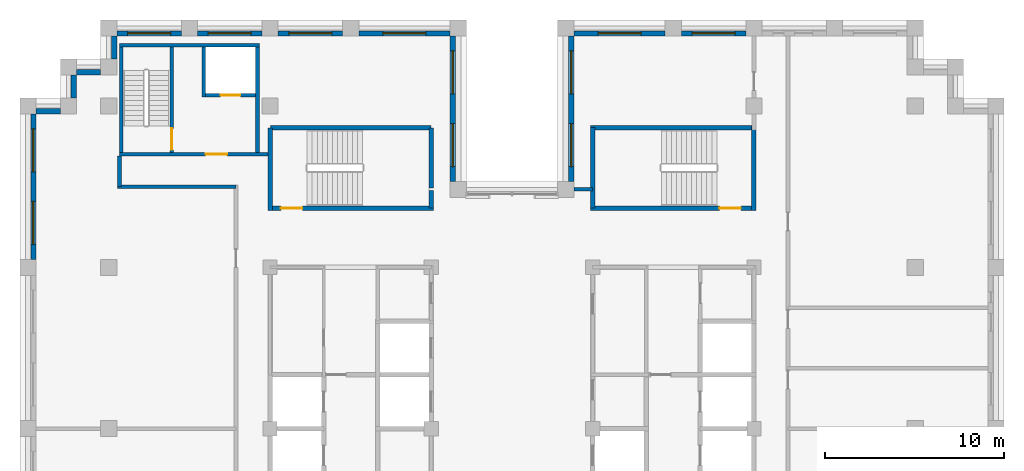
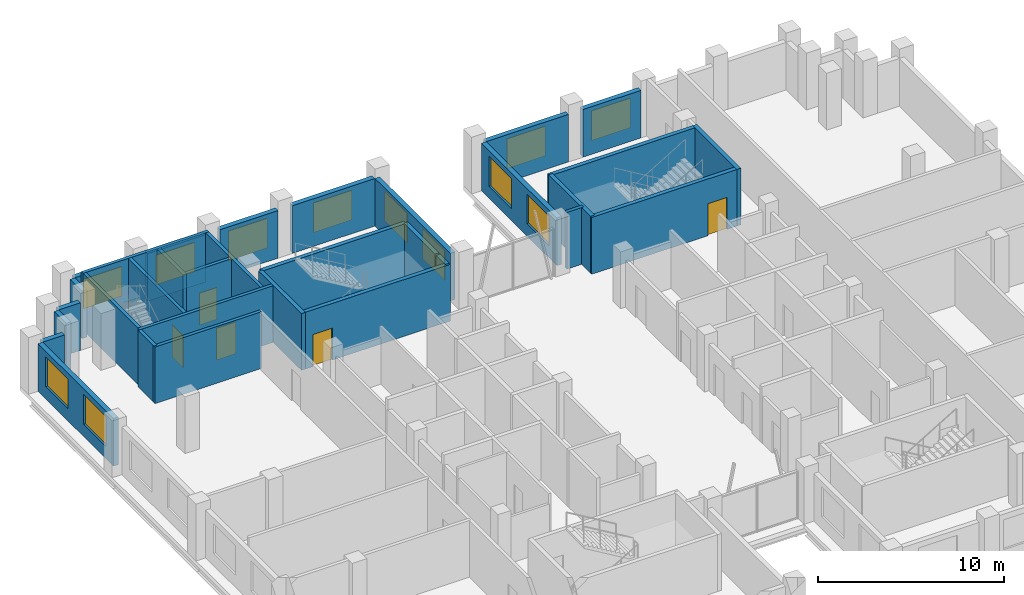
# One storey, part 10 of 13: 32 walls, 12 windows, 5 doors, 17 openings.
"""IFC4 building model written with IfcOpenShell, lengths in metres."""

from ifc_helpers import new_model, si_unit, direction, frame, frame_2d, origin, place, context, subcontext, project, spatial, rectangle, extrude, material, layer, layer_set, type_object, element, fill, save


model = new_model("IFC4")

# Units and contexts
model_context = context("Model", 3, precision=1e-05, world=origin(), true_north=direction((0.0, 1.0)))
body_context = subcontext(model_context, "Body", "Model", "MODEL_VIEW")
ifc_project = project(units=[si_unit("LENGTHUNIT", "METRE"), si_unit("AREAUNIT", "SQUARE_METRE"), si_unit("VOLUMEUNIT", "CUBIC_METRE"), si_unit("PLANEANGLEUNIT", "RADIAN"), si_unit("MASSUNIT", "GRAM", prefix="KILO")], contexts=[model_context])

# Site, building, storey
site_placement = place(None, origin())
site = spatial("IfcSite", under=ifc_project, at=site_placement, CompositionType="ELEMENT")
building_placement = place(site_placement, origin())
building = spatial("IfcBuilding", under=site, at=building_placement, Name="Corbelhall Arena Tower", CompositionType="ELEMENT")
storey_placement = place(building_placement, frame((0.0, 0.0, 286.0)))
storey = spatial("IfcBuildingStorey", under=building, at=storey_placement, Name="L62", CompositionType="ELEMENT", Elevation=286.0)

# Walls
ifc_material_1 = material(Name="Precast concrete C40/50 with granite facing", Category="masonry")
ifc_layer_1 = layer(ifc_material_1, 0.300048828125)
ifc_layer_set_1 = layer_set([ifc_layer_1], Name="EV-IW1 Infill panel 300")
wall_type_1 = type_object("IfcWallType", Name="EV-IW1 Infill panel 300", PredefinedType="SOLIDWALL", material=ifc_layer_set_1)
wall_1_placement = place(storey_placement, frame((-24.449951171875, 19.72509765625, 0.0), z_axis=(0.0, 0.0, 1.0), x_axis=(0.0, -1.0, 0.0)))
element("IfcWall", 1, at=wall_1_placement, inside=storey, type_object=wall_type_1, Name="Infill panel IW1", PredefinedType="SOLIDWALL", context=body_context, shape_type="SweptSolid", body=[
    extrude(rectangle(XDim=1.275146484375, YDim=0.300048828125, at=frame_2d((0.6376953125, 0.0))), origin(), (0.0, 0.0, 1.0), 3.1201171875),
])
wall_2_placement = place(storey_placement, frame((-25.199951171875, 17.699951171875, 0.0), z_axis=(0.0, 0.0, 1.0), x_axis=(-1.0, 0.0, 0.0)))
element("IfcWall", 2, at=wall_2_placement, inside=storey, type_object=wall_type_1, Name="Infill panel IW1", PredefinedType="SOLIDWALL", context=body_context, shape_type="SweptSolid", body=[
    extrude(rectangle(XDim=1.35009765625, YDim=0.300048828125, at=frame_2d((0.675048828125, 0.0))), origin(), (0.0, 0.0, 1.0), 3.1201171875),
])

# Wall, openings, windows
wall_3_placement = place(storey_placement, frame((-26.699951171875, 17.550048828125, 0.0), z_axis=(0.0, 0.0, 1.0), x_axis=(0.0, -1.0, 0.0)))
wall_3 = element("IfcWall", 3, at=wall_3_placement, inside=storey, type_object=wall_type_1, Name="Infill panel IW1", PredefinedType="SOLIDWALL", context=body_context, shape_type="SweptSolid", body=[
    extrude(rectangle(XDim=8.10009765625, YDim=0.300048828125, at=frame_2d((4.050048828125, 0.0))), origin(), (0.0, 0.0, 1.0), 3.1201171875),
])
opening_1_placement = place(wall_3_placement, frame((0.824951171875, 0.0, 0.800048828125)))
opening_1 = element("IfcOpeningElement", 4, at=opening_1_placement, cuts=wall_3, Name="Opening WN1", PredefinedType="OPENING", context=body_context, shape_type="SweptSolid", body=[
    extrude(rectangle(XDim=2.39990234375, YDim=1.949951171875, at=frame_2d((1.199951171875, 0.97509765625))), frame((0.0, 0.14990234375, 0.0), z_axis=(0.0, -1.0, 0.0), x_axis=(1.0, 0.0, 0.0)), (0.0, 0.0, 1.0), 0.300048828125),
])
opening_2_placement = place(wall_3_placement, frame((4.875, 0.0, 0.800048828125)))
opening_2 = element("IfcOpeningElement", 5, at=opening_2_placement, cuts=wall_3, Name="Opening WN1", PredefinedType="OPENING", context=body_context, shape_type="SweptSolid", body=[
    extrude(rectangle(XDim=2.39990234375, YDim=1.949951171875, at=frame_2d((1.199951171875, 0.97509765625))), frame((0.0, 0.14990234375, 0.0), z_axis=(0.0, -1.0, 0.0), x_axis=(1.0, 0.0, 0.0)), (0.0, 0.0, 1.0), 0.300048828125),
])
ifc_material_2 = material(Name="Aluminium black anodised", Category="aluminium")
window_type = type_object("IfcWindowType", Name="EV-WN1 Office window", PartitioningType="SINGLE_PANEL", PredefinedType="WINDOW", material=ifc_material_2)
window_1_placement = place(opening_1_placement, origin())
window_1 = element("IfcWindow", 6, at=window_1_placement, inside=storey, type_object=window_type, Name="Window WN1", OverallHeight=1.949951171875, OverallWidth=2.39990234375, PartitioningType="SINGLE_PANEL", PredefinedType="WINDOW", context=body_context, shape_type="SweptSolid", body=[
    extrude(rectangle(XDim=2.39990234375, YDim=1.949951171875, at=frame_2d((1.199951171875, 0.97509765625))), frame((0.0, 0.030029296875, 0.0), z_axis=(0.0, -1.0, 0.0), x_axis=(1.0, 0.0, 0.0)), (0.0, 0.0, 1.0), 0.06005859375),
])
fill(opening_1, window_1)
window_2_placement = place(opening_2_placement, origin())
window_2 = element("IfcWindow", 7, at=window_2_placement, inside=storey, type_object=window_type, Name="Window WN1", OverallHeight=1.949951171875, OverallWidth=2.39990234375, PartitioningType="SINGLE_PANEL", PredefinedType="WINDOW", context=body_context, shape_type="SweptSolid", body=[
    extrude(rectangle(XDim=2.39990234375, YDim=1.949951171875, at=frame_2d((1.199951171875, 0.97509765625))), frame((0.0, 0.030029296875, 0.0), z_axis=(0.0, -1.0, 0.0), x_axis=(1.0, 0.0, 0.0)), (0.0, 0.0, 1.0), 0.06005859375),
])
fill(opening_2, window_2)

# Wall, opening, window
wall_4_placement = place(storey_placement, frame((13.050048828125, 22.050048828125, 0.0), z_axis=(0.0, 0.0, 1.0), x_axis=(-1.0, 0.0, 0.0)))
wall_4 = element("IfcWall", 8, at=wall_4_placement, inside=storey, type_object=wall_type_1, Name="Infill panel IW1", PredefinedType="SOLIDWALL", context=body_context, shape_type="SweptSolid", body=[
    extrude(rectangle(XDim=3.60009765625, YDim=0.300048828125, at=frame_2d((1.800048828125, 0.0))), origin(), (0.0, 0.0, 1.0), 3.1201171875),
])
opening_3_placement = place(wall_4_placement, frame((0.60009765625, 0.0, 0.800048828125)))
opening_3 = element("IfcOpeningElement", 9, at=opening_3_placement, cuts=wall_4, Name="Opening WN1", PredefinedType="OPENING", context=body_context, shape_type="SweptSolid", body=[
    extrude(rectangle(XDim=2.39990234375, YDim=1.949951171875, at=frame_2d((1.199951171875, 0.97509765625))), frame((0.0, 0.14990234375, 0.0), z_axis=(0.0, -1.0, 0.0), x_axis=(1.0, 0.0, 0.0)), (0.0, 0.0, 1.0), 0.300048828125),
])
window_3_placement = place(opening_3_placement, origin())
window_3 = element("IfcWindow", 10, at=window_3_placement, inside=storey, type_object=window_type, Name="Window WN1", OverallHeight=1.949951171875, OverallWidth=2.39990234375, PartitioningType="SINGLE_PANEL", PredefinedType="WINDOW", context=body_context, shape_type="SweptSolid", body=[
    extrude(rectangle(XDim=2.39990234375, YDim=1.949951171875, at=frame_2d((1.199951171875, 0.97509765625))), frame((0.0, 0.030029296875, 0.0), z_axis=(0.0, -1.0, 0.0), x_axis=(1.0, 0.0, 0.0)), (0.0, 0.0, 1.0), 0.06005859375),
])
fill(opening_3, window_3)

wall_5_placement = place(storey_placement, frame((8.550048828125, 22.050048828125, 0.0), z_axis=(0.0, 0.0, 1.0), x_axis=(-1.0, 0.0, 0.0)))
wall_5 = element("IfcWall", 11, at=wall_5_placement, inside=storey, type_object=wall_type_1, Name="Infill panel IW1", PredefinedType="SOLIDWALL", context=body_context, shape_type="SweptSolid", body=[
    extrude(rectangle(XDim=5.10009765625, YDim=0.300048828125, at=frame_2d((2.550048828125, 0.0))), origin(), (0.0, 0.0, 1.0), 3.1201171875),
])
opening_4_placement = place(wall_5_placement, frame((1.35009765625, 0.0, 0.800048828125)))
opening_4 = element("IfcOpeningElement", 12, at=opening_4_placement, cuts=wall_5, Name="Opening WN1", PredefinedType="OPENING", context=body_context, shape_type="SweptSolid", body=[
    extrude(rectangle(XDim=2.39990234375, YDim=1.949951171875, at=frame_2d((1.199951171875, 0.97509765625))), frame((0.0, 0.14990234375, 0.0), z_axis=(0.0, -1.0, 0.0), x_axis=(1.0, 0.0, 0.0)), (0.0, 0.0, 1.0), 0.300048828125),
])
window_4_placement = place(opening_4_placement, origin())
window_4 = element("IfcWindow", 13, at=window_4_placement, inside=storey, type_object=window_type, Name="Window WN1", OverallHeight=1.949951171875, OverallWidth=2.39990234375, PartitioningType="SINGLE_PANEL", PredefinedType="WINDOW", context=body_context, shape_type="SweptSolid", body=[
    extrude(rectangle(XDim=2.39990234375, YDim=1.949951171875, at=frame_2d((1.199951171875, 0.97509765625))), frame((0.0, 0.030029296875, 0.0), z_axis=(0.0, -1.0, 0.0), x_axis=(1.0, 0.0, 0.0)), (0.0, 0.0, 1.0), 0.06005859375),
])
fill(opening_4, window_4)

# Wall, openings, windows
wall_6_placement = place(storey_placement, frame((3.300048828125, 21.89990234375, 0.0), z_axis=(0.0, 0.0, 1.0), x_axis=(0.0, -1.0, 0.0)))
wall_6 = element("IfcWall", 14, at=wall_6_placement, inside=storey, type_object=wall_type_1, Name="Infill panel IW1", PredefinedType="SOLIDWALL", context=body_context, shape_type="SweptSolid", body=[
    extrude(rectangle(XDim=8.099853515625, YDim=0.300048828125, at=frame_2d((4.0498046875, 0.0))), origin(), (0.0, 0.0, 1.0), 3.1201171875),
])
opening_5_placement = place(wall_6_placement, frame((0.824951171875, 0.0, 0.800048828125)))
opening_5 = element("IfcOpeningElement", 15, at=opening_5_placement, cuts=wall_6, Name="Opening WN1", PredefinedType="OPENING", context=body_context, shape_type="SweptSolid", body=[
    extrude(rectangle(XDim=2.39990234375, YDim=1.949951171875, at=frame_2d((1.199951171875, 0.97509765625))), frame((0.0, 0.14990234375, 0.0), z_axis=(0.0, -1.0, 0.0), x_axis=(1.0, 0.0, 0.0)), (0.0, 0.0, 1.0), 0.300048828125),
])
opening_6_placement = place(wall_6_placement, frame((4.875, 0.0, 0.800048828125)))
opening_6 = element("IfcOpeningElement", 16, at=opening_6_placement, cuts=wall_6, Name="Opening WN1", PredefinedType="OPENING", context=body_context, shape_type="SweptSolid", body=[
    extrude(rectangle(XDim=2.39990234375, YDim=1.949951171875, at=frame_2d((1.199951171875, 0.97509765625))), frame((0.0, 0.14990234375, 0.0), z_axis=(0.0, -1.0, 0.0), x_axis=(1.0, 0.0, 0.0)), (0.0, 0.0, 1.0), 0.300048828125),
])
window_5_placement = place(opening_5_placement, origin())
window_5 = element("IfcWindow", 17, at=window_5_placement, inside=storey, type_object=window_type, Name="Window WN1", OverallHeight=1.949951171875, OverallWidth=2.39990234375, PartitioningType="SINGLE_PANEL", PredefinedType="WINDOW", context=body_context, shape_type="SweptSolid", body=[
    extrude(rectangle(XDim=2.39990234375, YDim=1.949951171875, at=frame_2d((1.199951171875, 0.97509765625))), frame((0.0, 0.030029296875, 0.0), z_axis=(0.0, -1.0, 0.0), x_axis=(1.0, 0.0, 0.0)), (0.0, 0.0, 1.0), 0.06005859375),
])
fill(opening_5, window_5)
window_6_placement = place(opening_6_placement, origin())
window_6 = element("IfcWindow", 18, at=window_6_placement, inside=storey, type_object=window_type, Name="Window WN1", OverallHeight=1.949951171875, OverallWidth=2.39990234375, PartitioningType="SINGLE_PANEL", PredefinedType="WINDOW", context=body_context, shape_type="SweptSolid", body=[
    extrude(rectangle(XDim=2.39990234375, YDim=1.949951171875, at=frame_2d((1.199951171875, 0.97509765625))), frame((0.0, 0.030029296875, 0.0), z_axis=(0.0, -1.0, 0.0), x_axis=(1.0, 0.0, 0.0)), (0.0, 0.0, 1.0), 0.06005859375),
])
fill(opening_6, window_6)

wall_7_placement = place(storey_placement, frame((-3.300048828125, 13.800048828125, 0.0), z_axis=(0.0, 0.0, 1.0), x_axis=(0.0, 1.0, 0.0)))
wall_7 = element("IfcWall", 19, at=wall_7_placement, inside=storey, type_object=wall_type_1, Name="Infill panel IW1", PredefinedType="SOLIDWALL", context=body_context, shape_type="SweptSolid", body=[
    extrude(rectangle(XDim=8.099853515625, YDim=0.300048828125, at=frame_2d((4.0498046875, 0.0))), origin(), (0.0, 0.0, 1.0), 3.1201171875),
])
opening_7_placement = place(wall_7_placement, frame((0.824951171875, 0.0, 0.800048828125)))
opening_7 = element("IfcOpeningElement", 20, at=opening_7_placement, cuts=wall_7, Name="Opening WN1", PredefinedType="OPENING", context=body_context, shape_type="SweptSolid", body=[
    extrude(rectangle(XDim=2.39990234375, YDim=1.949951171875, at=frame_2d((1.199951171875, 0.97509765625))), frame((0.0, 0.14990234375, 0.0), z_axis=(0.0, -1.0, 0.0), x_axis=(1.0, 0.0, 0.0)), (0.0, 0.0, 1.0), 0.300048828125),
])
opening_8_placement = place(wall_7_placement, frame((4.875, 0.0, 0.800048828125)))
opening_8 = element("IfcOpeningElement", 21, at=opening_8_placement, cuts=wall_7, Name="Opening WN1", PredefinedType="OPENING", context=body_context, shape_type="SweptSolid", body=[
    extrude(rectangle(XDim=2.39990234375, YDim=1.949951171875, at=frame_2d((1.199951171875, 0.97509765625))), frame((0.0, 0.14990234375, 0.0), z_axis=(0.0, -1.0, 0.0), x_axis=(1.0, 0.0, 0.0)), (0.0, 0.0, 1.0), 0.300048828125),
])
window_7_placement = place(opening_7_placement, origin())
window_7 = element("IfcWindow", 22, at=window_7_placement, inside=storey, type_object=window_type, Name="Window WN1", OverallHeight=1.949951171875, OverallWidth=2.39990234375, PartitioningType="SINGLE_PANEL", PredefinedType="WINDOW", context=body_context, shape_type="SweptSolid", body=[
    extrude(rectangle(XDim=2.39990234375, YDim=1.949951171875, at=frame_2d((1.199951171875, 0.97509765625))), frame((0.0, 0.030029296875, 0.0), z_axis=(0.0, -1.0, 0.0), x_axis=(1.0, 0.0, 0.0)), (0.0, 0.0, 1.0), 0.06005859375),
])
fill(opening_7, window_7)
window_8_placement = place(opening_8_placement, origin())
window_8 = element("IfcWindow", 23, at=window_8_placement, inside=storey, type_object=window_type, Name="Window WN1", OverallHeight=1.949951171875, OverallWidth=2.39990234375, PartitioningType="SINGLE_PANEL", PredefinedType="WINDOW", context=body_context, shape_type="SweptSolid", body=[
    extrude(rectangle(XDim=2.39990234375, YDim=1.949951171875, at=frame_2d((1.199951171875, 0.97509765625))), frame((0.0, 0.030029296875, 0.0), z_axis=(0.0, -1.0, 0.0), x_axis=(1.0, 0.0, 0.0)), (0.0, 0.0, 1.0), 0.06005859375),
])
fill(opening_8, window_8)

# Wall, opening, window
wall_8_placement = place(storey_placement, frame((-3.449951171875, 22.050048828125, 0.0), z_axis=(0.0, 0.0, 1.0), x_axis=(-1.0, 0.0, 0.0)))
wall_8 = element("IfcWall", 24, at=wall_8_placement, inside=storey, type_object=wall_type_1, Name="Infill panel IW1", PredefinedType="SOLIDWALL", context=body_context, shape_type="SweptSolid", body=[
    extrude(rectangle(XDim=5.10009765625, YDim=0.300048828125, at=frame_2d((2.550048828125, 0.0))), origin(), (0.0, 0.0, 1.0), 3.1201171875),
])
opening_9_placement = place(wall_8_placement, frame((1.35009765625, 0.0, 0.800048828125)))
opening_9 = element("IfcOpeningElement", 25, at=opening_9_placement, cuts=wall_8, Name="Opening WN1", PredefinedType="OPENING", context=body_context, shape_type="SweptSolid", body=[
    extrude(rectangle(XDim=2.39990234375, YDim=1.949951171875, at=frame_2d((1.199951171875, 0.97509765625))), frame((0.0, 0.14990234375, 0.0), z_axis=(0.0, -1.0, 0.0), x_axis=(1.0, 0.0, 0.0)), (0.0, 0.0, 1.0), 0.300048828125),
])
window_9_placement = place(opening_9_placement, origin())
window_9 = element("IfcWindow", 26, at=window_9_placement, inside=storey, type_object=window_type, Name="Window WN1", OverallHeight=1.949951171875, OverallWidth=2.39990234375, PartitioningType="SINGLE_PANEL", PredefinedType="WINDOW", context=body_context, shape_type="SweptSolid", body=[
    extrude(rectangle(XDim=2.39990234375, YDim=1.949951171875, at=frame_2d((1.199951171875, 0.97509765625))), frame((0.0, 0.030029296875, 0.0), z_axis=(0.0, -1.0, 0.0), x_axis=(1.0, 0.0, 0.0)), (0.0, 0.0, 1.0), 0.06005859375),
])
fill(opening_9, window_9)

wall_9_placement = place(storey_placement, frame((-9.449951171875, 22.050048828125, 0.0), z_axis=(0.0, 0.0, 1.0), x_axis=(-1.0, 0.0, 0.0)))
wall_9 = element("IfcWall", 27, at=wall_9_placement, inside=storey, type_object=wall_type_1, Name="Infill panel IW1", PredefinedType="SOLIDWALL", context=body_context, shape_type="SweptSolid", body=[
    extrude(rectangle(XDim=3.60009765625, YDim=0.300048828125, at=frame_2d((1.800048828125, 0.0))), origin(), (0.0, 0.0, 1.0), 3.1201171875),
])
opening_10_placement = place(wall_9_placement, frame((0.60009765625, 0.0, 0.800048828125)))
opening_10 = element("IfcOpeningElement", 28, at=opening_10_placement, cuts=wall_9, Name="Opening WN1", PredefinedType="OPENING", context=body_context, shape_type="SweptSolid", body=[
    extrude(rectangle(XDim=2.39990234375, YDim=1.949951171875, at=frame_2d((1.199951171875, 0.97509765625))), frame((0.0, 0.14990234375, 0.0), z_axis=(0.0, -1.0, 0.0), x_axis=(1.0, 0.0, 0.0)), (0.0, 0.0, 1.0), 0.300048828125),
])
window_10_placement = place(opening_10_placement, origin())
window_10 = element("IfcWindow", 29, at=window_10_placement, inside=storey, type_object=window_type, Name="Window WN1", OverallHeight=1.949951171875, OverallWidth=2.39990234375, PartitioningType="SINGLE_PANEL", PredefinedType="WINDOW", context=body_context, shape_type="SweptSolid", body=[
    extrude(rectangle(XDim=2.39990234375, YDim=1.949951171875, at=frame_2d((1.199951171875, 0.97509765625))), frame((0.0, 0.030029296875, 0.0), z_axis=(0.0, -1.0, 0.0), x_axis=(1.0, 0.0, 0.0)), (0.0, 0.0, 1.0), 0.06005859375),
])
fill(opening_10, window_10)

wall_10_placement = place(storey_placement, frame((-13.949951171875, 22.050048828125, 0.0), z_axis=(0.0, 0.0, 1.0), x_axis=(-1.0, 0.0, 0.0)))
wall_10 = element("IfcWall", 30, at=wall_10_placement, inside=storey, type_object=wall_type_1, Name="Infill panel IW1", PredefinedType="SOLIDWALL", context=body_context, shape_type="SweptSolid", body=[
    extrude(rectangle(XDim=3.60009765625, YDim=0.300048828125, at=frame_2d((1.800048828125, 0.0))), origin(), (0.0, 0.0, 1.0), 3.1201171875),
])
opening_11_placement = place(wall_10_placement, frame((0.60009765625, 0.0, 0.800048828125)))
opening_11 = element("IfcOpeningElement", 31, at=opening_11_placement, cuts=wall_10, Name="Opening WN1", PredefinedType="OPENING", context=body_context, shape_type="SweptSolid", body=[
    extrude(rectangle(XDim=2.39990234375, YDim=1.949951171875, at=frame_2d((1.199951171875, 0.97509765625))), frame((0.0, 0.14990234375, 0.0), z_axis=(0.0, -1.0, 0.0), x_axis=(1.0, 0.0, 0.0)), (0.0, 0.0, 1.0), 0.300048828125),
])
window_11_placement = place(opening_11_placement, origin())
window_11 = element("IfcWindow", 32, at=window_11_placement, inside=storey, type_object=window_type, Name="Window WN1", OverallHeight=1.949951171875, OverallWidth=2.39990234375, PartitioningType="SINGLE_PANEL", PredefinedType="WINDOW", context=body_context, shape_type="SweptSolid", body=[
    extrude(rectangle(XDim=2.39990234375, YDim=1.949951171875, at=frame_2d((1.199951171875, 0.97509765625))), frame((0.0, 0.030029296875, 0.0), z_axis=(0.0, -1.0, 0.0), x_axis=(1.0, 0.0, 0.0)), (0.0, 0.0, 1.0), 0.06005859375),
])
fill(opening_11, window_11)

wall_11_placement = place(storey_placement, frame((-18.449951171875, 22.050048828125, 0.0), z_axis=(0.0, 0.0, 1.0), x_axis=(-1.0, 0.0, 0.0)))
wall_11 = element("IfcWall", 33, at=wall_11_placement, inside=storey, type_object=wall_type_1, Name="Infill panel IW1", PredefinedType="SOLIDWALL", context=body_context, shape_type="SweptSolid", body=[
    extrude(rectangle(XDim=3.60009765625, YDim=0.300048828125, at=frame_2d((1.800048828125, 0.0))), origin(), (0.0, 0.0, 1.0), 3.1201171875),
])
opening_12_placement = place(wall_11_placement, frame((0.60009765625, 0.0, 0.800048828125)))
opening_12 = element("IfcOpeningElement", 34, at=opening_12_placement, cuts=wall_11, Name="Opening WN1", PredefinedType="OPENING", context=body_context, shape_type="SweptSolid", body=[
    extrude(rectangle(XDim=2.39990234375, YDim=1.949951171875, at=frame_2d((1.199951171875, 0.97509765625))), frame((0.0, 0.14990234375, 0.0), z_axis=(0.0, -1.0, 0.0), x_axis=(1.0, 0.0, 0.0)), (0.0, 0.0, 1.0), 0.300048828125),
])
window_12_placement = place(opening_12_placement, origin())
window_12 = element("IfcWindow", 35, at=window_12_placement, inside=storey, type_object=window_type, Name="Window WN1", OverallHeight=1.949951171875, OverallWidth=2.39990234375, PartitioningType="SINGLE_PANEL", PredefinedType="WINDOW", context=body_context, shape_type="SweptSolid", body=[
    extrude(rectangle(XDim=2.39990234375, YDim=1.949951171875, at=frame_2d((1.199951171875, 0.97509765625))), frame((0.0, 0.030029296875, 0.0), z_axis=(0.0, -1.0, 0.0), x_axis=(1.0, 0.0, 0.0)), (0.0, 0.0, 1.0), 0.06005859375),
])
fill(opening_12, window_12)

# Walls
wall_12_placement = place(storey_placement, frame((-22.199951171875, 21.89990234375, 0.0), z_axis=(0.0, 0.0, 1.0), x_axis=(0.0, -1.0, 0.0)))
element("IfcWall", 36, at=wall_12_placement, inside=storey, type_object=wall_type_1, Name="Infill panel IW1", PredefinedType="SOLIDWALL", context=body_context, shape_type="SweptSolid", body=[
    extrude(rectangle(XDim=1.27490234375, YDim=0.300048828125, at=frame_2d((0.637451171875, 0.0))), origin(), (0.0, 0.0, 1.0), 3.1201171875),
])
wall_13_placement = place(storey_placement, frame((-22.949951171875, 19.875, 0.0), z_axis=(0.0, 0.0, 1.0), x_axis=(-1.0, 0.0, 0.0)))
element("IfcWall", 37, at=wall_13_placement, inside=storey, type_object=wall_type_1, Name="Infill panel IW1", PredefinedType="SOLIDWALL", context=body_context, shape_type="SweptSolid", body=[
    extrude(rectangle(XDim=1.35009765625, YDim=0.300048828125, at=frame_2d((0.675048828125, 0.0))), origin(), (0.0, 0.0, 1.0), 3.1201171875),
])
ifc_material_3 = material(Name="Gypsum board on steel stud, acoustic", Category="steel")
ifc_layer_2 = layer(ifc_material_3, 0.199951171875)
ifc_layer_set_2 = layer_set([ifc_layer_2], Name="IN-W-DM200")
wall_type_2 = type_object("IfcWallType", Name="IN-W-DM200", PredefinedType="PARTITIONING", material=ifc_layer_set_2)
wall_14_placement = place(storey_placement, frame((-21.89990234375, 13.5, 0.0), z_axis=(0.0, 0.0, 1.0), x_axis=(0.0, 1.0, 0.0)))
element("IfcWall", 38, at=wall_14_placement, inside=storey, type_object=wall_type_2, Name="Partition 004", PredefinedType="PARTITIONING", context=body_context, shape_type="SweptSolid", body=[
    extrude(rectangle(XDim=1.699951171875, YDim=0.199951171875, at=frame_2d((0.85009765625, 0.0))), origin(), (0.0, 0.0, 1.0), 3.719970703125),
])
wall_15_placement = place(storey_placement, frame((-15.39990234375, 13.5, 0.0), z_axis=(0.0, 0.0, 1.0), x_axis=(-1.0, 0.0, 0.0)))
element("IfcWall", 39, at=wall_15_placement, inside=storey, type_object=wall_type_2, Name="Partition 007", PredefinedType="PARTITIONING", context=body_context, shape_type="SweptSolid", body=[
    extrude(rectangle(XDim=6.60009765625, YDim=0.199951171875, at=frame_2d((3.300048828125, 0.0))), origin(), (0.0, 0.0, 1.0), 3.719970703125),
])
wall_16_placement = place(storey_placement, frame((3.450439453125, 13.35009765625, 0.0), z_axis=(0.0, 0.0, 1.0), x_axis=(1.0, 0.0, 0.0)))
element("IfcWall", 40, at=wall_16_placement, inside=storey, type_object=wall_type_2, Name="Partition 010", PredefinedType="PARTITIONING", context=body_context, shape_type="SweptSolid", body=[
    extrude(rectangle(XDim=1.049072265625, YDim=0.199951171875, at=frame_2d((0.5244140625, 0.0))), origin(), (0.0, 0.0, 1.0), 3.719970703125),
])

# Wall, opening, door
ifc_material_4 = material(Name="Concrete C40/50", Category="concrete")
ifc_layer_3 = layer(ifc_material_4, 0.199951171875)
ifc_layer_set_3 = layer_set([ifc_layer_3], Name="IN-W-EAR200")
wall_type_3 = type_object("IfcWallType", Name="IN-W-EAR200", PredefinedType="SOLIDWALL", material=ifc_layer_set_3)
wall_17_placement = place(storey_placement, frame((-21.89990234375, 15.300048828125, 0.0), z_axis=(0.0, 0.0, 1.0), x_axis=(1.0, 0.0, 0.0)))
wall_17 = element("IfcWall", 41, at=wall_17_placement, inside=storey, type_object=wall_type_3, Name="Fire service turret wall south", PredefinedType="SOLIDWALL", context=body_context, shape_type="SweptSolid", body=[
    extrude(rectangle(XDim=8.27490234375, YDim=0.199951171875, at=frame_2d((4.137451171875, 0.0))), origin(), (0.0, 0.0, 1.0), 3.719970703125),
])
opening_13_placement = place(wall_17_placement, frame((4.800048828125, 0.0, 0.0)))
opening_13 = element("IfcOpeningElement", 42, at=opening_13_placement, cuts=wall_17, Name="Opening E202", PredefinedType="OPENING", context=body_context, shape_type="SweptSolid", body=[
    extrude(rectangle(XDim=1.199951171875, YDim=2.10009765625, at=frame_2d((0.60009765625, 1.050048828125))), frame((0.0, 0.10009765625, 0.0), z_axis=(0.0, -1.0, 0.0), x_axis=(1.0, 0.0, 0.0)), (0.0, 0.0, 1.0), 0.199951171875),
])
ifc_material_5 = material(Name="Steel door set", Category="steel")
door_type_1 = type_object("IfcDoorType", Name="IN-D-ST120", OperationType="NOTDEFINED", PredefinedType="DOOR", material=ifc_material_5)
door_1_placement = place(opening_13_placement, origin())
door_1 = element("IfcDoor", 43, at=door_1_placement, inside=storey, type_object=door_type_1, Name="Door from fire service lift lobby to circulation", OperationType="SINGLE_SWING_RIGHT", OverallHeight=2.10009765625, OverallWidth=1.199951171875, PredefinedType="DOOR", context=body_context, shape_type="SweptSolid", body=[
    extrude(rectangle(XDim=1.199951171875, YDim=2.10009765625, at=frame_2d((0.60009765625, 1.050048828125))), frame((0.0, 0.02490234375, 0.0), z_axis=(0.0, -1.0, 0.0), x_axis=(1.0, 0.0, 0.0)), (0.0, 0.0, 1.0), 0.050048828125),
])
fill(opening_13, door_1)

# Walls
wall_18_placement = place(storey_placement, frame((-21.89990234375, 21.39990234375, 0.0), z_axis=(0.0, 0.0, 1.0), x_axis=(1.0, 0.0, 0.0)))
element("IfcWall", 44, at=wall_18_placement, inside=storey, type_object=wall_type_3, Name="Fire service turret wall north", PredefinedType="SOLIDWALL", context=body_context, shape_type="SweptSolid", body=[
    extrude(rectangle(XDim=7.7998046875, YDim=0.199951171875, at=frame_2d((3.89990234375, 0.0))), origin(), (0.0, 0.0, 1.0), 3.719970703125),
])
for number, where, z_axis, x_axis, name in (
    (45, (-21.800048828125, 15.39990234375, 0.0), (0.0, 0.0, 1.0), (0.0, 1.0, 0.0), "Fire service turret wall west"),
    (46, (-14.199951171875, 15.39990234375, 0.0), (0.0, 0.0, 1.0), (0.0, 1.0, 0.0), "Fire service turret wall east"),
):
    element("IfcWall", number, at=place(storey_placement, frame(where, z_axis=z_axis, x_axis=x_axis)), inside=storey, type_object=wall_type_3, Name=name, PredefinedType="SOLIDWALL", context=body_context, shape_type="SweptSolid", body=[
        extrude(rectangle(XDim=5.900146484375, YDim=0.199951171875, at=frame_2d((2.9501953125, 0.0))), origin(), (0.0, 0.0, 1.0), 3.719970703125),
    ])

# Wall, opening, door
wall_19_placement = place(storey_placement, frame((-18.989990234375, 15.39990234375, 0.0), z_axis=(0.0, 0.0, 1.0), x_axis=(0.0, 1.0, 0.0)))
wall_19 = element("IfcWall", 47, at=wall_19_placement, inside=storey, type_object=wall_type_3, Name="Fire service turret wall stair", PredefinedType="SOLIDWALL", context=body_context, shape_type="SweptSolid", body=[
    extrude(rectangle(XDim=5.900146484375, YDim=0.199951171875, at=frame_2d((2.9501953125, 0.0))), origin(), (0.0, 0.0, 1.0), 3.719970703125),
])
opening_14_placement = place(wall_19_placement, frame((0.14990234375, 0.0, 0.0)))
opening_14 = element("IfcOpeningElement", 48, at=opening_14_placement, cuts=wall_19, Name="Opening E201", PredefinedType="OPENING", context=body_context, shape_type="SweptSolid", body=[
    extrude(rectangle(XDim=1.199951171875, YDim=2.10009765625, at=frame_2d((0.60009765625, 1.050048828125))), frame((0.0, 0.10009765625, 0.0), z_axis=(0.0, -1.0, 0.0), x_axis=(1.0, 0.0, 0.0)), (0.0, 0.0, 1.0), 0.199951171875),
])
door_2_placement = place(opening_14_placement, origin())
door_2 = element("IfcDoor", 49, at=door_2_placement, inside=storey, type_object=door_type_1, Name="Stair door to fire service lobby", OperationType="SINGLE_SWING_LEFT", OverallHeight=2.10009765625, OverallWidth=1.199951171875, PredefinedType="DOOR", context=body_context, shape_type="SweptSolid", body=[
    extrude(rectangle(XDim=1.199951171875, YDim=2.10009765625, at=frame_2d((0.60009765625, 1.050048828125))), frame((0.0, 0.02490234375, 0.0), z_axis=(0.0, -1.0, 0.0), x_axis=(1.0, 0.0, 0.0)), (0.0, 0.0, 1.0), 0.050048828125),
])
fill(opening_14, door_2)

# Wall
wall_20_placement = place(storey_placement, frame((-17.199951171875, 18.5, 0.0), z_axis=(0.0, 0.0, 1.0), x_axis=(0.0, 1.0, 0.0)))
element("IfcWall", 50, at=wall_20_placement, inside=storey, type_object=wall_type_3, Name="Fire service turret wall hoistway west", PredefinedType="SOLIDWALL", context=body_context, shape_type="SweptSolid", body=[
    extrude(rectangle(XDim=2.800048828125, YDim=0.199951171875, at=frame_2d((1.39990234375, 0.0))), origin(), (0.0, 0.0, 1.0), 3.719970703125),
])

# Wall, opening, door
wall_21_placement = place(storey_placement, frame((-17.10009765625, 18.60009765625, 0.0), z_axis=(0.0, 0.0, 1.0), x_axis=(1.0, 0.0, 0.0)))
wall_21 = element("IfcWall", 51, at=wall_21_placement, inside=storey, type_object=wall_type_3, Name="Fire service turret wall hoistway south", PredefinedType="SOLIDWALL", context=body_context, shape_type="SweptSolid", body=[
    extrude(rectangle(XDim=2.800048828125, YDim=0.199951171875, at=frame_2d((1.39990234375, 0.0))), origin(), (0.0, 0.0, 1.0), 3.719970703125),
])
opening_15_placement = place(wall_21_placement, frame((0.85009765625, 0.0, 0.0)))
opening_15 = element("IfcOpeningElement", 52, at=opening_15_placement, cuts=wall_21, Name="Opening LD", PredefinedType="OPENING", context=body_context, shape_type="SweptSolid", body=[
    extrude(rectangle(XDim=1.10009765625, YDim=2.10009765625, at=frame_2d((0.550048828125, 1.050048828125))), frame((0.0, 0.10009765625, 0.0), z_axis=(0.0, -1.0, 0.0), x_axis=(1.0, 0.0, 0.0)), (0.0, 0.0, 1.0), 0.199951171875),
])
door_type_2 = type_object("IfcDoorType", Name="IN-D-LD110", OperationType="NOTDEFINED", PredefinedType="DOOR", material=ifc_material_5)
door_3_placement = place(opening_15_placement, origin())
door_3 = element("IfcDoor", 53, at=door_3_placement, inside=storey, type_object=door_type_2, Name="Landing door FS1", OperationType="SLIDING_TO_LEFT", OverallHeight=2.10009765625, OverallWidth=1.10009765625, PredefinedType="DOOR", context=body_context, shape_type="SweptSolid", body=[
    extrude(rectangle(XDim=1.10009765625, YDim=2.10009765625, at=frame_2d((0.550048828125, 1.050048828125))), frame((0.0, 0.02490234375, 0.0), z_axis=(0.0, -1.0, 0.0), x_axis=(1.0, 0.0, 0.0)), (0.0, 0.0, 1.0), 0.050048828125),
])
fill(opening_15, door_3)

ifc_layer_4 = layer(ifc_material_4, 0.25)
ifc_layer_set_4 = layer_set([ifc_layer_4], Name="IN-W-ST250")
wall_type_4 = type_object("IfcWallType", Name="IN-W-ST250", PredefinedType="SOLIDWALL", material=ifc_layer_set_4)
wall_22_placement = place(storey_placement, frame((-13.5, 12.300048828125, 0.0), z_axis=(0.0, 0.0, 1.0), x_axis=(1.0, 0.0, 0.0)))
wall_22 = element("IfcWall", 54, at=wall_22_placement, inside=storey, type_object=wall_type_4, Name="Shaft wall 060", PredefinedType="SOLIDWALL", context=body_context, shape_type="SweptSolid", body=[
    extrude(rectangle(XDim=9.125, YDim=0.25, at=frame_2d((4.5625, 0.0))), origin(), (0.0, 0.0, 1.0), 3.719970703125),
])
opening_16_placement = place(wall_22_placement, frame((0.60009765625, 0.0, 0.0)))
opening_16 = element("IfcOpeningElement", 55, at=opening_16_placement, cuts=wall_22, Name="Opening 20016", PredefinedType="OPENING", context=body_context, shape_type="SweptSolid", body=[
    extrude(rectangle(XDim=1.199951171875, YDim=2.10009765625, at=frame_2d((0.60009765625, 1.050048828125))), frame((0.0, 0.125, 0.0), z_axis=(0.0, -1.0, 0.0), x_axis=(1.0, 0.0, 0.0)), (0.0, 0.0, 1.0), 0.25),
])
door_4_placement = place(opening_16_placement, origin())
door_4 = element("IfcDoor", 56, at=door_4_placement, inside=storey, type_object=door_type_1, Name="Door 016", OperationType="SINGLE_SWING_LEFT", OverallHeight=2.10009765625, OverallWidth=1.199951171875, PredefinedType="DOOR", context=body_context, shape_type="SweptSolid", body=[
    extrude(rectangle(XDim=1.199951171875, YDim=2.10009765625, at=frame_2d((0.60009765625, 1.050048828125))), frame((0.0, 0.02490234375, 0.0), z_axis=(0.0, -1.0, 0.0), x_axis=(1.0, 0.0, 0.0)), (0.0, 0.0, 1.0), 0.050048828125),
])
fill(opening_16, door_4)

# Walls
wall_23_placement = place(storey_placement, frame((-13.5, 16.780029296875, 0.0), z_axis=(0.0, 0.0, 1.0), x_axis=(0.0, -1.0, 0.0)))
element("IfcWall", 57, at=wall_23_placement, inside=storey, type_object=wall_type_4, Name="Shaft wall 061", PredefinedType="SOLIDWALL", context=body_context, shape_type="SweptSolid", body=[
    extrude(rectangle(XDim=4.60498046875, YDim=0.25, at=frame_2d((2.302490234375, 0.0))), origin(), (0.0, 0.0, 1.0), 3.719970703125),
])
wall_24_placement = place(storey_placement, frame((-13.47998046875, 16.800048828125, 0.0), z_axis=(0.0, 0.0, 1.0), x_axis=(1.0, 0.0, 0.0)))
element("IfcWall", 58, at=wall_24_placement, inside=storey, type_object=wall_type_4, Name="Shaft wall 062", PredefinedType="SOLIDWALL", context=body_context, shape_type="SweptSolid", body=[
    extrude(rectangle(XDim=8.9599609375, YDim=0.25, at=frame_2d((4.47998046875, 0.0))), origin(), (0.0, 0.0, 1.0), 3.719970703125),
])
wall_25_placement = place(storey_placement, frame((-4.5, 13.282958984375, 0.0), z_axis=(0.0, 0.0, 1.0), x_axis=(0.0, -1.0, 0.0)))
element("IfcWall", 59, at=wall_25_placement, inside=storey, type_object=wall_type_4, Name="Shaft wall 065", PredefinedType="SOLIDWALL", context=body_context, shape_type="SweptSolid", body=[
    extrude(rectangle(XDim=0.98291015625, YDim=0.25, at=frame_2d((0.491455078125, 0.0))), origin(), (0.0, 0.0, 1.0), 3.719970703125),
])
wall_26_placement = place(storey_placement, frame((-4.5, 16.780029296875, 0.0), z_axis=(0.0, 0.0, 1.0), x_axis=(0.0, -1.0, 0.0)))
element("IfcWall", 60, at=wall_26_placement, inside=storey, type_object=wall_type_4, Name="Shaft wall 066", PredefinedType="SOLIDWALL", context=body_context, shape_type="SweptSolid", body=[
    extrude(rectangle(XDim=3.363037109375, YDim=0.25, at=frame_2d((1.681640625, 0.0))), origin(), (0.0, 0.0, 1.0), 3.719970703125),
])

# Wall, opening, door
wall_27_placement = place(storey_placement, frame((4.375, 12.300048828125, 0.0), z_axis=(0.0, 0.0, 1.0), x_axis=(1.0, 0.0, 0.0)))
wall_27 = element("IfcWall", 61, at=wall_27_placement, inside=storey, type_object=wall_type_4, Name="Shaft wall 068", PredefinedType="SOLIDWALL", context=body_context, shape_type="SweptSolid", body=[
    extrude(rectangle(XDim=9.125, YDim=0.25, at=frame_2d((4.5625, 0.0))), origin(), (0.0, 0.0, 1.0), 3.719970703125),
])
opening_17_placement = place(wall_27_placement, frame((7.199951171875, 0.0, 0.0)))
opening_17 = element("IfcOpeningElement", 62, at=opening_17_placement, cuts=wall_27, Name="Opening 20018", PredefinedType="OPENING", context=body_context, shape_type="SweptSolid", body=[
    extrude(rectangle(XDim=1.199951171875, YDim=2.10009765625, at=frame_2d((0.60009765625, 1.050048828125))), frame((0.0, 0.125, 0.0), z_axis=(0.0, -1.0, 0.0), x_axis=(1.0, 0.0, 0.0)), (0.0, 0.0, 1.0), 0.25),
])
door_5_placement = place(opening_17_placement, origin())
door_5 = element("IfcDoor", 63, at=door_5_placement, inside=storey, type_object=door_type_1, Name="Door 018", OperationType="SINGLE_SWING_LEFT", OverallHeight=2.10009765625, OverallWidth=1.199951171875, PredefinedType="DOOR", context=body_context, shape_type="SweptSolid", body=[
    extrude(rectangle(XDim=1.199951171875, YDim=2.10009765625, at=frame_2d((0.60009765625, 1.050048828125))), frame((0.0, 0.02490234375, 0.0), z_axis=(0.0, -1.0, 0.0), x_axis=(1.0, 0.0, 0.0)), (0.0, 0.0, 1.0), 0.050048828125),
])
fill(opening_17, door_5)

# Walls
wall_28_placement = place(storey_placement, frame((4.375, 16.800048828125, 0.0), z_axis=(0.0, 0.0, 1.0), x_axis=(1.0, 0.0, 0.0)))
element("IfcWall", 64, at=wall_28_placement, inside=storey, type_object=wall_type_4, Name="Shaft wall 069", PredefinedType="SOLIDWALL", context=body_context, shape_type="SweptSolid", body=[
    extrude(rectangle(XDim=9.125, YDim=0.25, at=frame_2d((4.5625, 0.0))), origin(), (0.0, 0.0, 1.0), 3.719970703125),
])
wall_29_placement = place(storey_placement, frame((4.5, 12.300048828125, 0.0), z_axis=(0.0, 0.0, 1.0), x_axis=(0.0, 1.0, 0.0)))
element("IfcWall", 65, at=wall_29_placement, inside=storey, type_object=wall_type_4, Name="Shaft wall 071", PredefinedType="SOLIDWALL", context=body_context, shape_type="SweptSolid", body=[
    extrude(rectangle(XDim=4.5, YDim=0.25, at=frame_2d((2.25, 0.0))), origin(), (0.0, 0.0, 1.0), 3.719970703125),
])
wall_30_placement = place(storey_placement, frame((13.5, 12.175048828125, 0.0), z_axis=(0.0, 0.0, 1.0), x_axis=(0.0, 1.0, 0.0)))
element("IfcWall", 66, at=wall_30_placement, inside=storey, type_object=wall_type_4, Name="Shaft wall 075", PredefinedType="SOLIDWALL", context=body_context, shape_type="SweptSolid", body=[
    extrude(rectangle(XDim=4.75, YDim=0.25, at=frame_2d((2.375, 0.0))), origin(), (0.0, 0.0, 1.0), 3.719970703125),
])

save(model, "model.ifc")
